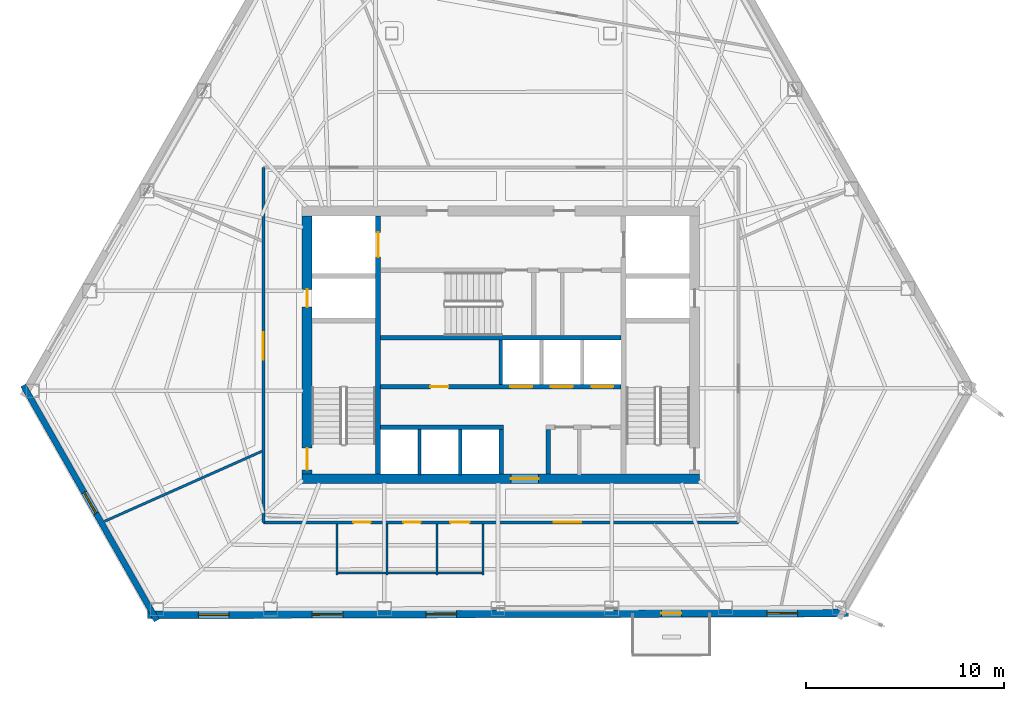
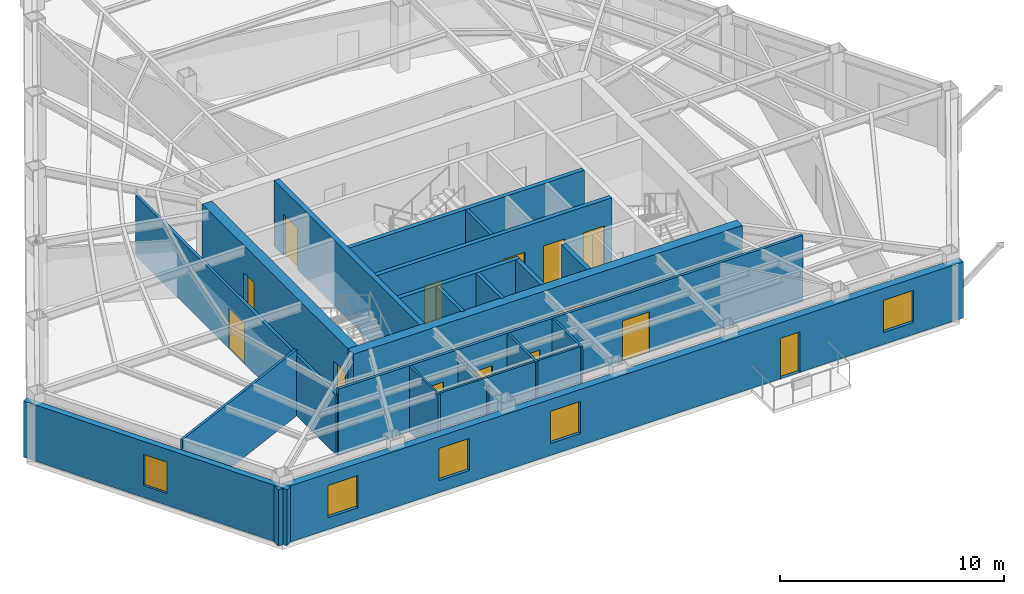
# One storey, part 6 of 11: 21 walls, 14 doors, 5 windows, 19 openings.
"""IFC4 building model written with IfcOpenShell, lengths in metres."""

from ifc_helpers import new_model, si_unit, direction, frame, frame_2d, origin, place, context, subcontext, project, spatial, rectangle, extrude, material, layer, layer_set, type_object, element, fill, save


model = new_model("IFC4")

# Units and contexts
model_context = context("Model", 3, precision=1e-05, world=origin(), true_north=direction((0.0, 1.0)))
body_context = subcontext(model_context, "Body", "Model", "MODEL_VIEW")
ifc_project = project(units=[si_unit("LENGTHUNIT", "METRE"), si_unit("AREAUNIT", "SQUARE_METRE"), si_unit("VOLUMEUNIT", "CUBIC_METRE"), si_unit("PLANEANGLEUNIT", "RADIAN"), si_unit("MASSUNIT", "GRAM", prefix="KILO")], contexts=[model_context])

# Site, building, storey
site_placement = place(None, origin())
site = spatial("IfcSite", under=ifc_project, at=site_placement, CompositionType="ELEMENT")
building_placement = place(site_placement, origin())
building = spatial("IfcBuilding", under=site, at=building_placement, Name="Kavelnor Concourse Tower", CompositionType="ELEMENT")
storey_placement = place(building_placement, frame((0.0, 0.0, 89.35009765625)))
storey = spatial("IfcBuildingStorey", under=building, at=storey_placement, Name="L22", CompositionType="ELEMENT", Elevation=89.35009765625)

# Wall, opening, door
ifc_material_1 = material(Name="Concrete C60/75", Category="concrete")
ifc_layer_1 = layer(ifc_material_1, 0.5, Name="Concrete C60/75")
ifc_layer_set_1 = layer_set([ifc_layer_1], Name="Concrete C60/75")
wall_type_1 = type_object("IfcWallType", Name="WL-CORE-Z2-500", PredefinedType="SOLIDWALL", material=ifc_layer_set_1)
wall_1_placement = place(storey_placement, frame((27.97998046875, 9.35009765625, 0.0), z_axis=(0.0, 0.0, 1.0), x_axis=(1.0, 0.0, 0.0)))
wall_1 = element("IfcWall", 1, at=wall_1_placement, inside=storey, type_object=wall_type_1, Name="L22 Central Core South Shear Wall", PredefinedType="SOLIDWALL", context=body_context, shape_type="SweptSolid", body=[
    extrude(rectangle(XDim=20.0400390625, YDim=0.5, at=frame_2d((10.02001953125, 0.0))), origin(), (0.0, 0.0, 1.0), 3.599853515625),
])
opening_1_placement = place(wall_1_placement, frame((10.52001953125, 0.0, 0.0)))
opening_1 = element("IfcOpeningElement", 2, at=opening_1_placement, cuts=wall_1, Name="Opening SD-140", PredefinedType="OPENING", context=body_context, shape_type="SweptSolid", body=[
    extrude(rectangle(XDim=1.39990234375, YDim=2.199951171875, at=frame_2d((0.699951171875, 1.10009765625))), frame((0.0, 0.260009765625, 0.0), z_axis=(0.0, -1.0, 0.0), x_axis=(1.0, 0.0, 0.0)), (0.0, 0.0, 1.0), 0.52001953125),
])
ifc_material_2 = material(Name="Solid-core hardwood timber", Category="wood")
door_type_1 = type_object("IfcDoorType", Name="DR-SUITE-ENTRY-1400", OperationType="NOTDEFINED", PredefinedType="DOOR", material=ifc_material_2)
door_1_placement = place(opening_1_placement, origin())
door_1 = element("IfcDoor", 3, at=door_1_placement, inside=storey, type_object=door_type_1, Name="L22 Passenger Lift Lobby Entry Door", OperationType="SINGLE_SWING_LEFT", OverallHeight=2.199951171875, OverallWidth=1.39990234375, PredefinedType="DOOR", context=body_context, shape_type="SweptSolid", body=[
    extrude(rectangle(XDim=1.39990234375, YDim=2.199951171875, at=frame_2d((0.699951171875, 1.10009765625))), frame((0.0, 0.02490234375, 0.0), z_axis=(0.0, -1.0, 0.0), x_axis=(1.0, 0.0, 0.0)), (0.0, 0.0, 1.0), 0.050048828125),
])
fill(opening_1, door_1)

# Wall, openings, doors
wall_2_placement = place(storey_placement, frame((28.22998046875, 9.60009765625, 0.0), z_axis=(0.0, 0.0, 1.0), x_axis=(0.0, 1.0, 0.0)))
wall_2 = element("IfcWall", 4, at=wall_2_placement, inside=storey, type_object=wall_type_1, Name="L22 Central Core West Shear Wall", PredefinedType="SOLIDWALL", context=body_context, shape_type="SweptSolid", body=[
    extrude(rectangle(XDim=13.0, YDim=0.5, at=frame_2d((6.5, 0.0))), origin(), (0.0, 0.0, 1.0), 3.599853515625),
])
opening_2_placement = place(wall_2_placement, frame((0.199951171875, 0.0, 0.0)))
opening_2 = element("IfcOpeningElement", 5, at=opening_2_placement, cuts=wall_2, Name="Opening FD-110", PredefinedType="OPENING", context=body_context, shape_type="SweptSolid", body=[
    extrude(rectangle(XDim=1.10009765625, YDim=2.14990234375, at=frame_2d((0.550048828125, 1.074951171875))), frame((0.0, 0.260009765625, 0.0), z_axis=(0.0, -1.0, 0.0), x_axis=(1.0, 0.0, 0.0)), (0.0, 0.0, 1.0), 0.52001953125),
])
opening_3_placement = place(wall_2_placement, frame((8.39990234375, 0.0, 0.0)))
opening_3 = element("IfcOpeningElement", 6, at=opening_3_placement, cuts=wall_2, Name="Opening FD-090", PredefinedType="OPENING", context=body_context, shape_type="SweptSolid", body=[
    extrude(rectangle(XDim=0.89990234375, YDim=2.10009765625, at=frame_2d((0.449951171875, 1.050048828125))), frame((0.0, 0.260009765625, 0.0), z_axis=(0.0, -1.0, 0.0), x_axis=(1.0, 0.0, 0.0)), (0.0, 0.0, 1.0), 0.52001953125),
])
ifc_material_3 = material(Name="Steel Grade 350", Category="steel")
door_type_2 = type_object("IfcDoorType", Name="DR-RISER-FIRE-900", OperationType="NOTDEFINED", PredefinedType="DOOR", material=ifc_material_3)
door_2_placement = place(opening_3_placement, origin())
door_2 = element("IfcDoor", 7, at=door_2_placement, inside=storey, type_object=door_type_2, Name="L22 West Riser Access Door", OperationType="SINGLE_SWING_RIGHT", OverallHeight=2.10009765625, OverallWidth=0.89990234375, PredefinedType="DOOR", context=body_context, shape_type="SweptSolid", body=[
    extrude(rectangle(XDim=0.89990234375, YDim=2.10009765625, at=frame_2d((0.449951171875, 1.050048828125))), frame((0.0, 0.02490234375, 0.0), z_axis=(0.0, -1.0, 0.0), x_axis=(1.0, 0.0, 0.0)), (0.0, 0.0, 1.0), 0.050048828125),
])
fill(opening_3, door_2)
door_type_3 = type_object("IfcDoorType", Name="DR-STAIR-FIRE-1100", OperationType="NOTDEFINED", PredefinedType="DOOR", material=ifc_material_3)
door_3_placement = place(opening_2_placement, origin())
door_3 = element("IfcDoor", 8, at=door_3_placement, inside=storey, type_object=door_type_3, Name="L22 Stair ST1 Fire Door", OperationType="SINGLE_SWING_LEFT", OverallHeight=2.14990234375, OverallWidth=1.10009765625, PredefinedType="DOOR", context=body_context, shape_type="SweptSolid", body=[
    extrude(rectangle(XDim=1.10009765625, YDim=2.14990234375, at=frame_2d((0.550048828125, 1.074951171875))), frame((0.0, 0.02490234375, 0.0), z_axis=(0.0, -1.0, 0.0), x_axis=(1.0, 0.0, 0.0)), (0.0, 0.0, 1.0), 0.050048828125),
])
fill(opening_2, door_3)

# Wall, opening, window
ifc_material_4 = material(Name="Buff ironspot clay face brick masonry", Category="masonry")
ifc_layer_2 = layer(ifc_material_4, 0.300048828125, Name="Buff ironspot clay face brick masonry")
ifc_layer_set_2 = layer_set([ifc_layer_2], Name="Buff ironspot clay face brick masonry")
wall_type_2 = type_object("IfcWallType", Name="WL-EXT-BUFF-BRICK-FOLD-300", PredefinedType="STANDARD", material=ifc_layer_set_2)
wall_3_placement = place(storey_placement, frame((20.658447265625, 2.210205078125, 0.0), z_axis=(0.0, 0.0, 1.0), x_axis=(-0.493913076268, 0.869511284051, 0.0)))
wall_3 = element("IfcWall", 9, at=wall_3_placement, inside=storey, type_object=wall_type_2, Name="L22 Exterior Brick Facade Wall E2", PredefinedType="STANDARD", context=body_context, shape_type="SweptSolid", body=[
    extrude(rectangle(XDim=13.62939453125, YDim=0.300048828125, at=frame_2d((6.814697265625, 0.0))), origin(), (0.0, 0.0, 1.0), 3.058837890625),
])
opening_4_placement = place(wall_3_placement, frame((6.214599609375, 0.0, 0.64990234375)))
opening_4 = element("IfcOpeningElement", 10, at=opening_4_placement, cuts=wall_3, Name="Opening W-05", PredefinedType="OPENING", context=body_context, shape_type="SweptSolid", body=[
    extrude(rectangle(XDim=1.199951171875, YDim=1.699951171875, at=frame_2d((0.60009765625, 0.85009765625))), frame((0.0, 0.16015625, 0.0), z_axis=(0.0, -1.0, 0.0), x_axis=(1.0, 0.0, 0.0)), (0.0, 0.0, 1.0), 0.320068359375),
])
ifc_material_5 = material(Name="Double low-E argon insulated glazing", Category="glass")
window_type_1 = type_object("IfcWindowType", Name="WIN-FOLD-1200", PartitioningType="SINGLE_PANEL", PredefinedType="WINDOW", material=ifc_material_5)
window_1_placement = place(opening_4_placement, origin())
window_1 = element("IfcWindow", 11, at=window_1_placement, inside=storey, type_object=window_type_1, Name="L22 Chamfer-Fold Facet Window C1", OverallHeight=1.699951171875, OverallWidth=1.199951171875, PartitioningType="SINGLE_PANEL", PredefinedType="WINDOW", context=body_context, shape_type="SweptSolid", body=[
    extrude(rectangle(XDim=1.199951171875, YDim=1.699951171875, at=frame_2d((0.60009765625, 0.85009765625))), frame((0.0, 0.030029296875, 0.0), z_axis=(0.0, -1.0, 0.0), x_axis=(1.0, 0.0, 0.0)), (0.0, 0.0, 1.0), 0.06005859375),
])
fill(opening_4, window_1)

# Wall, openings, door, windows
ifc_material_6 = material(Name="Red-ochre clay face brick masonry", Category="masonry")
ifc_layer_3 = layer(ifc_material_6, 0.3798828125, Name="Red-ochre clay face brick masonry")
ifc_layer_set_3 = layer_set([ifc_layer_3], Name="Red-ochre clay face brick masonry")
wall_type_3 = type_object("IfcWallType", Name="WL-EXT-RED-BRICK-PIER-380", PredefinedType="STANDARD", material=ifc_layer_set_3)
wall_4_placement = place(storey_placement, frame((55.533203125, 2.586181640625, 0.0), z_axis=(0.0, 0.0, 1.0), x_axis=(-0.999996299189, -0.002720589845, 0.0)))
wall_4 = element("IfcWall", 12, at=wall_4_placement, inside=storey, type_object=wall_type_3, Name="L22 Exterior Brick Facade Wall E3", PredefinedType="STANDARD", context=body_context, shape_type="SweptSolid", body=[
    extrude(rectangle(XDim=35.35693359375, YDim=0.3798828125, at=frame_2d((17.678466796875, 0.0))), origin(), (0.0, 0.0, 1.0), 3.058837890625),
])
opening_5_placement = place(wall_4_placement, frame((8.439208984375, 0.0, 0.0)))
opening_5 = element("IfcOpeningElement", 13, at=opening_5_placement, cuts=wall_4, Name="Opening BD-100", PredefinedType="OPENING", context=body_context, shape_type="SweptSolid", body=[
    extrude(rectangle(XDim=1.0, YDim=2.199951171875, at=frame_2d((0.5, 1.10009765625))), frame((0.0, 0.199951171875, 0.0), z_axis=(0.0, -1.0, 0.0), x_axis=(1.0, 0.0, 0.0)), (0.0, 0.0, 1.0), 0.39990234375),
])
opening_6_placement = place(wall_4_placement, frame((31.235107421875, 0.0, 0.64990234375)))
opening_6 = element("IfcOpeningElement", 14, at=opening_6_placement, cuts=wall_4, Name="Opening W-02", PredefinedType="OPENING", context=body_context, shape_type="SweptSolid", body=[
    extrude(rectangle(XDim=1.550048828125, YDim=1.75, at=frame_2d((0.77490234375, 0.875))), frame((0.0, 0.199951171875, 0.0), z_axis=(0.0, -1.0, 0.0), x_axis=(1.0, 0.0, 0.0)), (0.0, 0.0, 1.0), 0.39990234375),
])
opening_7_placement = place(wall_4_placement, frame((25.501953125, 0.0, 0.64990234375)))
opening_7 = element("IfcOpeningElement", 15, at=opening_7_placement, cuts=wall_4, Name="Opening W-02", PredefinedType="OPENING", context=body_context, shape_type="SweptSolid", body=[
    extrude(rectangle(XDim=1.550048828125, YDim=1.75, at=frame_2d((0.77490234375, 0.875))), frame((0.0, 0.199951171875, 0.0), z_axis=(0.0, -1.0, 0.0), x_axis=(1.0, 0.0, 0.0)), (0.0, 0.0, 1.0), 0.39990234375),
])
opening_8_placement = place(wall_4_placement, frame((19.768798828125, 0.0, 0.64990234375)))
opening_8 = element("IfcOpeningElement", 16, at=opening_8_placement, cuts=wall_4, Name="Opening W-02", PredefinedType="OPENING", context=body_context, shape_type="SweptSolid", body=[
    extrude(rectangle(XDim=1.550048828125, YDim=1.75, at=frame_2d((0.77490234375, 0.875))), frame((0.0, 0.199951171875, 0.0), z_axis=(0.0, -1.0, 0.0), x_axis=(1.0, 0.0, 0.0)), (0.0, 0.0, 1.0), 0.39990234375),
])
opening_9_placement = place(wall_4_placement, frame((2.569091796875, 0.0, 0.64990234375)))
opening_9 = element("IfcOpeningElement", 17, at=opening_9_placement, cuts=wall_4, Name="Opening W-02", PredefinedType="OPENING", context=body_context, shape_type="SweptSolid", body=[
    extrude(rectangle(XDim=1.550048828125, YDim=1.75, at=frame_2d((0.77490234375, 0.875))), frame((0.0, 0.199951171875, 0.0), z_axis=(0.0, -1.0, 0.0), x_axis=(1.0, 0.0, 0.0)), (0.0, 0.0, 1.0), 0.39990234375),
])
ifc_material_7 = material(Name="Anodised aluminium 6063-T6", Category="aluminium")
door_type_4 = type_object("IfcDoorType", Name="DR-BALCONY-EXT-1000", OperationType="NOTDEFINED", PredefinedType="DOOR", material=ifc_material_7)
door_4_placement = place(opening_5_placement, origin())
door_4 = element("IfcDoor", 18, at=door_4_placement, inside=storey, type_object=door_type_4, Name="L22 Tree Balcony 1 Glazed Door", OperationType="SINGLE_SWING_LEFT", OverallHeight=2.199951171875, OverallWidth=1.0, PredefinedType="DOOR", context=body_context, shape_type="SweptSolid", body=[
    extrude(rectangle(XDim=1.0, YDim=2.199951171875, at=frame_2d((0.5, 1.10009765625))), frame((0.0, 0.02490234375, 0.0), z_axis=(0.0, -1.0, 0.0), x_axis=(1.0, 0.0, 0.0)), (0.0, 0.0, 1.0), 0.050048828125),
])
fill(opening_5, door_4)
window_type_2 = type_object("IfcWindowType", Name="WIN-PIER-Z2-1650", PartitioningType="SINGLE_PANEL", PredefinedType="WINDOW", material=ifc_material_5)
window_2_placement = place(opening_6_placement, origin())
window_2 = element("IfcWindow", 19, at=window_2_placement, inside=storey, type_object=window_type_2, Name="L22 Deep-Set Brick Pier Window F1-B0", OverallHeight=1.75, OverallWidth=1.550048828125, PartitioningType="SINGLE_PANEL", PredefinedType="WINDOW", context=body_context, shape_type="SweptSolid", body=[
    extrude(rectangle(XDim=1.550048828125, YDim=1.75, at=frame_2d((0.77490234375, 0.875))), frame((0.0, 0.030029296875, 0.0), z_axis=(0.0, -1.0, 0.0), x_axis=(1.0, 0.0, 0.0)), (0.0, 0.0, 1.0), 0.06005859375),
])
fill(opening_6, window_2)
window_3_placement = place(opening_7_placement, origin())
window_3 = element("IfcWindow", 20, at=window_3_placement, inside=storey, type_object=window_type_2, Name="L22 Deep-Set Brick Pier Window F1-B1", OverallHeight=1.75, OverallWidth=1.550048828125, PartitioningType="SINGLE_PANEL", PredefinedType="WINDOW", context=body_context, shape_type="SweptSolid", body=[
    extrude(rectangle(XDim=1.550048828125, YDim=1.75, at=frame_2d((0.77490234375, 0.875))), frame((0.0, 0.030029296875, 0.0), z_axis=(0.0, -1.0, 0.0), x_axis=(1.0, 0.0, 0.0)), (0.0, 0.0, 1.0), 0.06005859375),
])
fill(opening_7, window_3)
window_4_placement = place(opening_8_placement, origin())
window_4 = element("IfcWindow", 21, at=window_4_placement, inside=storey, type_object=window_type_2, Name="L22 Deep-Set Brick Pier Window F1-B2", OverallHeight=1.75, OverallWidth=1.550048828125, PartitioningType="SINGLE_PANEL", PredefinedType="WINDOW", context=body_context, shape_type="SweptSolid", body=[
    extrude(rectangle(XDim=1.550048828125, YDim=1.75, at=frame_2d((0.77490234375, 0.875))), frame((0.0, 0.030029296875, 0.0), z_axis=(0.0, -1.0, 0.0), x_axis=(1.0, 0.0, 0.0)), (0.0, 0.0, 1.0), 0.06005859375),
])
fill(opening_8, window_4)
window_5_placement = place(opening_9_placement, origin())
window_5 = element("IfcWindow", 22, at=window_5_placement, inside=storey, type_object=window_type_2, Name="L22 Deep-Set Brick Pier Window F1-B5", OverallHeight=1.75, OverallWidth=1.550048828125, PartitioningType="SINGLE_PANEL", PredefinedType="WINDOW", context=body_context, shape_type="SweptSolid", body=[
    extrude(rectangle(XDim=1.550048828125, YDim=1.75, at=frame_2d((0.77490234375, 0.875))), frame((0.0, 0.030029296875, 0.0), z_axis=(0.0, -1.0, 0.0), x_axis=(1.0, 0.0, 0.0)), (0.0, 0.0, 1.0), 0.06005859375),
])
fill(opening_9, window_5)

# Wall, opening, door
ifc_material_8 = material(Name="Gypsum plasterboard on light-gauge steel studs", Category="steel")
ifc_layer_4 = layer(ifc_material_8, 0.14501953125, Name="Gypsum plasterboard on light-gauge steel studs")
ifc_layer_set_4 = layer_set([ifc_layer_4], Name="Gypsum plasterboard on light-gauge steel studs")
wall_type_4 = type_object("IfcWallType", Name="WL-INT-CORR-145", PredefinedType="PARTITIONING", material=ifc_layer_set_4)
wall_5_placement = place(storey_placement, frame((26.030029296875, 25.050048828125, 0.0), z_axis=(0.0, 0.0, 1.0), x_axis=(0.0, -1.0, 0.0)))
wall_5 = element("IfcWall", 23, at=wall_5_placement, inside=storey, type_object=wall_type_4, Name="L22 Corridor Wall WL-L22-CR-03", PredefinedType="PARTITIONING", context=body_context, shape_type="SweptSolid", body=[
    extrude(rectangle(XDim=17.900146484375, YDim=0.14501953125, at=frame_2d((8.9501953125, 0.0))), origin(), (0.0, 0.0, 1.0), 3.287841796875),
])
opening_10_placement = place(wall_5_placement, frame((8.31103515625, 0.0, 0.0)))
opening_10 = element("IfcOpeningElement", 24, at=opening_10_placement, cuts=wall_5, Name="Opening SD-140", PredefinedType="OPENING", context=body_context, shape_type="SweptSolid", body=[
    extrude(rectangle(XDim=1.39990234375, YDim=2.199951171875, at=frame_2d((0.699951171875, 1.10009765625))), frame((0.0, 0.08251953125, 0.0), z_axis=(0.0, -1.0, 0.0), x_axis=(1.0, 0.0, 0.0)), (0.0, 0.0, 1.0), 0.1650390625),
])
door_5_placement = place(opening_10_placement, origin())
door_5 = element("IfcDoor", 25, at=door_5_placement, inside=storey, type_object=door_type_1, Name="L22 Staff Breakout Pantry 04 Door", OperationType="SINGLE_SWING_LEFT", OverallHeight=2.199951171875, OverallWidth=1.39990234375, PredefinedType="DOOR", context=body_context, shape_type="SweptSolid", body=[
    extrude(rectangle(XDim=1.39990234375, YDim=2.199951171875, at=frame_2d((0.699951171875, 1.10009765625))), frame((0.0, 0.02490234375, 0.0), z_axis=(0.0, -1.0, 0.0), x_axis=(1.0, 0.0, 0.0)), (0.0, 0.0, 1.0), 0.050048828125),
])
fill(opening_10, door_5)

# Wall, openings, doors
wall_6_placement = place(storey_placement, frame((26.030029296875, 7.14990234375, 0.0), z_axis=(0.0, 0.0, 1.0), x_axis=(1.0, 0.0, 0.0)))
wall_6 = element("IfcWall", 26, at=wall_6_placement, inside=storey, type_object=wall_type_4, Name="L22 Corridor Wall WL-L22-CR-04", PredefinedType="PARTITIONING", context=body_context, shape_type="SweptSolid", body=[
    extrude(rectangle(XDim=23.93994140625, YDim=0.14501953125, at=frame_2d((11.969970703125, 0.0))), origin(), (0.0, 0.0, 1.0), 3.599853515625),
])
opening_11_placement = place(wall_6_placement, frame((4.530029296875, 0.0, 0.0)))
opening_11 = element("IfcOpeningElement", 27, at=opening_11_placement, cuts=wall_6, Name="Opening WD-088", PredefinedType="OPENING", context=body_context, shape_type="SweptSolid", body=[
    extrude(rectangle(XDim=0.8798828125, YDim=2.10009765625, at=frame_2d((0.43994140625, 1.050048828125))), frame((0.0, 0.08251953125, 0.0), z_axis=(0.0, -1.0, 0.0), x_axis=(1.0, 0.0, 0.0)), (0.0, 0.0, 1.0), 0.1650390625),
])
opening_12_placement = place(wall_6_placement, frame((7.050048828125, 0.0, 0.0)))
opening_12 = element("IfcOpeningElement", 28, at=opening_12_placement, cuts=wall_6, Name="Opening WD-088", PredefinedType="OPENING", context=body_context, shape_type="SweptSolid", body=[
    extrude(rectangle(XDim=0.8798828125, YDim=2.10009765625, at=frame_2d((0.43994140625, 1.050048828125))), frame((0.0, 0.08251953125, 0.0), z_axis=(0.0, -1.0, 0.0), x_axis=(1.0, 0.0, 0.0)), (0.0, 0.0, 1.0), 0.1650390625),
])
opening_13_placement = place(wall_6_placement, frame((9.429931640625, 0.0, 0.0)))
opening_13 = element("IfcOpeningElement", 29, at=opening_13_placement, cuts=wall_6, Name="Opening WD-096", PredefinedType="OPENING", context=body_context, shape_type="SweptSolid", body=[
    extrude(rectangle(XDim=0.9599609375, YDim=2.10009765625, at=frame_2d((0.47998046875, 1.050048828125))), frame((0.0, 0.08251953125, 0.0), z_axis=(0.0, -1.0, 0.0), x_axis=(1.0, 0.0, 0.0)), (0.0, 0.0, 1.0), 0.1650390625),
])
opening_14_placement = place(wall_6_placement, frame((14.631591796875, 0.0, 0.0)))
opening_14 = element("IfcOpeningElement", 30, at=opening_14_placement, cuts=wall_6, Name="Opening SD-140", PredefinedType="OPENING", context=body_context, shape_type="SweptSolid", body=[
    extrude(rectangle(XDim=1.39990234375, YDim=2.199951171875, at=frame_2d((0.699951171875, 1.10009765625))), frame((0.0, 0.08251953125, 0.0), z_axis=(0.0, -1.0, 0.0), x_axis=(1.0, 0.0, 0.0)), (0.0, 0.0, 1.0), 0.1650390625),
])
door_6_placement = place(opening_14_placement, origin())
door_6 = element("IfcDoor", 31, at=door_6_placement, inside=storey, type_object=door_type_1, Name="L22 Staff Breakout Pantry 05 Door", OperationType="SINGLE_SWING_RIGHT", OverallHeight=2.199951171875, OverallWidth=1.39990234375, PredefinedType="DOOR", context=body_context, shape_type="SweptSolid", body=[
    extrude(rectangle(XDim=1.39990234375, YDim=2.199951171875, at=frame_2d((0.699951171875, 1.10009765625))), frame((0.0, 0.02490234375, 0.0), z_axis=(0.0, -1.0, 0.0), x_axis=(1.0, 0.0, 0.0)), (0.0, 0.0, 1.0), 0.050048828125),
])
fill(opening_14, door_6)
door_type_5 = type_object("IfcDoorType", Name="DR-WC-ACC-960", OperationType="NOTDEFINED", PredefinedType="DOOR", material=ifc_material_2)
door_7_placement = place(opening_13_placement, origin())
door_7 = element("IfcDoor", 32, at=door_7_placement, inside=storey, type_object=door_type_5, Name="L22 Accessible WC Door", OperationType="SINGLE_SWING_LEFT", OverallHeight=2.10009765625, OverallWidth=0.9599609375, PredefinedType="DOOR", context=body_context, shape_type="SweptSolid", body=[
    extrude(rectangle(XDim=0.9599609375, YDim=2.10009765625, at=frame_2d((0.47998046875, 1.050048828125))), frame((0.0, 0.02490234375, 0.0), z_axis=(0.0, -1.0, 0.0), x_axis=(1.0, 0.0, 0.0)), (0.0, 0.0, 1.0), 0.050048828125),
])
fill(opening_13, door_7)
door_type_6 = type_object("IfcDoorType", Name="DR-WC-STD-880", OperationType="NOTDEFINED", PredefinedType="DOOR", material=ifc_material_2)
door_8_placement = place(opening_11_placement, origin())
door_8 = element("IfcDoor", 33, at=door_8_placement, inside=storey, type_object=door_type_6, Name="L22 Male WC Door", OperationType="SINGLE_SWING_LEFT", OverallHeight=2.10009765625, OverallWidth=0.8798828125, PredefinedType="DOOR", context=body_context, shape_type="SweptSolid", body=[
    extrude(rectangle(XDim=0.8798828125, YDim=2.10009765625, at=frame_2d((0.43994140625, 1.050048828125))), frame((0.0, 0.02490234375, 0.0), z_axis=(0.0, -1.0, 0.0), x_axis=(1.0, 0.0, 0.0)), (0.0, 0.0, 1.0), 0.050048828125),
])
fill(opening_11, door_8)
door_9_placement = place(opening_12_placement, origin())
door_9 = element("IfcDoor", 34, at=door_9_placement, inside=storey, type_object=door_type_6, Name="L22 Female WC Door", OperationType="SINGLE_SWING_RIGHT", OverallHeight=2.10009765625, OverallWidth=0.8798828125, PredefinedType="DOOR", context=body_context, shape_type="SweptSolid", body=[
    extrude(rectangle(XDim=0.8798828125, YDim=2.10009765625, at=frame_2d((0.43994140625, 1.050048828125))), frame((0.0, 0.02490234375, 0.0), z_axis=(0.0, -1.0, 0.0), x_axis=(1.0, 0.0, 0.0)), (0.0, 0.0, 1.0), 0.050048828125),
])
fill(opening_12, door_9)

# Walls
ifc_layer_5 = layer(ifc_material_8, 0.1650390625, Name="Gypsum plasterboard on light-gauge steel studs")
ifc_layer_set_5 = layer_set([ifc_layer_5], Name="Gypsum plasterboard on light-gauge steel studs")
wall_type_5 = type_object("IfcWallType", Name="WL-INT-FIRE-165", PredefinedType="PARTITIONING", material=ifc_layer_set_5)
for number, where, z_axis, x_axis, name in (
    (35, (33.89990234375, 9.550048828125, 0.0), (0.0, 0.0, 1.0), (0.0, 1.0, 0.0), "L22 Lift Shaft Divider LP7"),
    (36, (35.949951171875, 9.550048828125, 0.0), (0.0, 0.0, 1.0), (0.0, 1.0, 0.0), "L22 Lift Shaft Divider LP8"),
):
    element("IfcWall", number, at=place(storey_placement, frame(where, z_axis=z_axis, x_axis=x_axis)), inside=storey, type_object=wall_type_5, Name=name, PredefinedType="PARTITIONING", context=body_context, shape_type="SweptSolid", body=[
        extrude(rectangle(XDim=2.2900390625, YDim=0.1650390625, at=frame_2d((1.14501953125, 0.0))), origin(), (0.0, 0.0, 1.0), 3.599853515625),
    ])
wall_7_placement = place(storey_placement, frame((38.0, 14.10009765625, 0.0), z_axis=(0.0, 0.0, 1.0), x_axis=(0.0, 1.0, 0.0)))
element("IfcWall", 37, at=wall_7_placement, inside=storey, type_object=wall_type_5, Name="L22 Reclaimed Core Zone Partition", PredefinedType="PARTITIONING", context=body_context, shape_type="SweptSolid", body=[
    extrude(rectangle(XDim=2.239990234375, YDim=0.1650390625, at=frame_2d((1.1201171875, 0.0))), origin(), (0.0, 0.0, 1.0), 3.599853515625),
])
ifc_layer_6 = layer(ifc_material_8, 0.125, Name="Gypsum plasterboard on light-gauge steel studs")
ifc_layer_set_6 = layer_set([ifc_layer_6], Name="Gypsum plasterboard on light-gauge steel studs")
wall_type_6 = type_object("IfcWallType", Name="WL-INT-SUITE-125", PredefinedType="PARTITIONING", material=ifc_layer_set_6)
wall_8_placement = place(storey_placement, frame((25.949462890625, 10.734619140625, 0.0), z_axis=(0.0, 0.0, 1.0), x_axis=(-0.913551473061, -0.406723131955, 0.0)))
element("IfcWall", 38, at=wall_8_placement, inside=storey, type_object=wall_type_6, Name="L22 Radial Suite Partition 04", PredefinedType="PARTITIONING", context=body_context, shape_type="SweptSolid", body=[
    extrude(rectangle(XDim=8.677490234375, YDim=0.125, at=frame_2d((4.3388671875, 0.0))), origin(), (0.0, 0.0, 1.0), 3.599853515625),
])
ifc_layer_7 = layer(ifc_material_8, 0.110107421875, Name="Gypsum plasterboard on light-gauge steel studs")
ifc_layer_set_7 = layer_set([ifc_layer_7], Name="Gypsum plasterboard on light-gauge steel studs")
wall_type_7 = type_object("IfcWallType", Name="WL-INT-WC-110", PredefinedType="PLUMBINGWALL", material=ifc_layer_set_7)
wall_9_placement = place(storey_placement, frame((29.739990234375, 4.5, 0.0), z_axis=(0.0, 0.0, 1.0), x_axis=(0.0, 1.0, 0.0)))
element("IfcWall", 39, at=wall_9_placement, inside=storey, type_object=wall_type_7, Name="L22 Sanitary Partition WL-L22-WC-W", PredefinedType="PLUMBINGWALL", context=body_context, shape_type="SweptSolid", body=[
    extrude(rectangle(XDim=2.580078125, YDim=0.110107421875, at=frame_2d((1.2900390625, 0.0))), origin(), (0.0, 0.0, 1.0), 3.599853515625),
])
wall_10_placement = place(storey_placement, frame((32.260009765625, 4.5, 0.0), z_axis=(0.0, 0.0, 1.0), x_axis=(0.0, 1.0, 0.0)))
element("IfcWall", 40, at=wall_10_placement, inside=storey, type_object=wall_type_7, Name="L22 Sanitary Partition WL-L22-WC-D1", PredefinedType="PLUMBINGWALL", context=body_context, shape_type="SweptSolid", body=[
    extrude(rectangle(XDim=2.580078125, YDim=0.110107421875, at=frame_2d((1.2900390625, 0.0))), origin(), (0.0, 0.0, 1.0), 3.140869140625),
])
for number, where, z_axis, x_axis, name in (
    (41, (34.780029296875, 4.5, 0.0), (0.0, 0.0, 1.0), (0.0, 1.0, 0.0), "L22 Sanitary Partition WL-L22-WC-D2"),
    (42, (37.10009765625, 4.5, 0.0), (0.0, 0.0, 1.0), (0.0, 1.0, 0.0), "L22 Sanitary Partition WL-L22-WC-E"),
):
    element("IfcWall", number, at=place(storey_placement, frame(where, z_axis=z_axis, x_axis=x_axis)), inside=storey, type_object=wall_type_7, Name=name, PredefinedType="PLUMBINGWALL", context=body_context, shape_type="SweptSolid", body=[
        extrude(rectangle(XDim=2.580078125, YDim=0.110107421875, at=frame_2d((1.2900390625, 0.0))), origin(), (0.0, 0.0, 1.0), 3.599853515625),
    ])
wall_11_placement = place(storey_placement, frame((29.68994140625, 4.60009765625, 0.0), z_axis=(0.0, 0.0, 1.0), x_axis=(1.0, 0.0, 0.0)))
element("IfcWall", 43, at=wall_11_placement, inside=storey, type_object=wall_type_7, Name="L22 Sanitary Partition WL-L22-WC-S", PredefinedType="PLUMBINGWALL", context=body_context, shape_type="SweptSolid", body=[
    extrude(rectangle(XDim=7.4599609375, YDim=0.110107421875, at=frame_2d((3.72998046875, 0.0))), origin(), (0.0, 0.0, 1.0), 3.599853515625),
])
ifc_material_9 = material(Name="Concrete C50/60", Category="concrete")
ifc_layer_8 = layer(ifc_material_9, 0.219970703125, Name="Concrete C50/60")
ifc_layer_set_8 = layer_set([ifc_layer_8], Name="Concrete C50/60")
wall_type_8 = type_object("IfcWallType", Name="WL-SHAFT-220", PredefinedType="SOLIDWALL", material=ifc_layer_set_8)
wall_12_placement = place(storey_placement, frame((31.93994140625, 16.449951171875, 0.0), z_axis=(0.0, 0.0, 1.0), x_axis=(1.0, 0.0, 0.0)))
element("IfcWall", 44, at=wall_12_placement, inside=storey, type_object=wall_type_8, Name="L22 Stair ST3 South Core Wall", PredefinedType="SOLIDWALL", context=body_context, shape_type="SweptSolid", body=[
    extrude(rectangle(XDim=12.1201171875, YDim=0.219970703125, at=frame_2d((6.06005859375, 0.0))), origin(), (0.0, 0.0, 1.0), 3.599853515625),
])

# Wall, openings, doors
wall_13_placement = place(storey_placement, frame((31.93994140625, 13.989990234375, 0.0), z_axis=(0.0, 0.0, 1.0), x_axis=(1.0, 0.0, 0.0)))
wall_13 = element("IfcWall", 45, at=wall_13_placement, inside=storey, type_object=wall_type_8, Name="L22 North Lift Row Shaft Wall", PredefinedType="SOLIDWALL", context=body_context, shape_type="SweptSolid", body=[
    extrude(rectangle(XDim=12.1201171875, YDim=0.219970703125, at=frame_2d((6.06005859375, 0.0))), origin(), (0.0, 0.0, 1.0), 3.599853515625),
])
opening_15_placement = place(wall_13_placement, frame((2.510009765625, 0.0, 0.0)))
opening_15 = element("IfcOpeningElement", 46, at=opening_15_placement, cuts=wall_13, Name="Opening FD-090", PredefinedType="OPENING", context=body_context, shape_type="SweptSolid", body=[
    extrude(rectangle(XDim=0.89990234375, YDim=2.10009765625, at=frame_2d((0.449951171875, 1.050048828125))), frame((0.0, 0.1201171875, 0.0), z_axis=(0.0, -1.0, 0.0), x_axis=(1.0, 0.0, 0.0)), (0.0, 0.0, 1.0), 0.239990234375),
])
opening_16_placement = place(wall_13_placement, frame((6.534912109375, 0.0, 0.0)))
opening_16 = element("IfcOpeningElement", 47, at=opening_16_placement, cuts=wall_13, Name="Opening LD-110", PredefinedType="OPENING", context=body_context, shape_type="SweptSolid", body=[
    extrude(rectangle(XDim=1.10009765625, YDim=2.199951171875, at=frame_2d((0.550048828125, 1.10009765625))), frame((0.0, 0.1201171875, 0.0), z_axis=(0.0, -1.0, 0.0), x_axis=(1.0, 0.0, 0.0)), (0.0, 0.0, 1.0), 0.239990234375),
])
opening_17_placement = place(wall_13_placement, frame((8.5849609375, 0.0, 0.0)))
opening_17 = element("IfcOpeningElement", 48, at=opening_17_placement, cuts=wall_13, Name="Opening LD-110", PredefinedType="OPENING", context=body_context, shape_type="SweptSolid", body=[
    extrude(rectangle(XDim=1.10009765625, YDim=2.199951171875, at=frame_2d((0.550048828125, 1.10009765625))), frame((0.0, 0.1201171875, 0.0), z_axis=(0.0, -1.0, 0.0), x_axis=(1.0, 0.0, 0.0)), (0.0, 0.0, 1.0), 0.239990234375),
])
opening_18_placement = place(wall_13_placement, frame((10.635009765625, 0.0, 0.0)))
opening_18 = element("IfcOpeningElement", 49, at=opening_18_placement, cuts=wall_13, Name="Opening LD-110", PredefinedType="OPENING", context=body_context, shape_type="SweptSolid", body=[
    extrude(rectangle(XDim=1.10009765625, YDim=2.199951171875, at=frame_2d((0.550048828125, 1.10009765625))), frame((0.0, 0.1201171875, 0.0), z_axis=(0.0, -1.0, 0.0), x_axis=(1.0, 0.0, 0.0)), (0.0, 0.0, 1.0), 0.239990234375),
])
door_type_7 = type_object("IfcDoorType", Name="DR-LIFT-SLIDING-1100", OperationType="NOTDEFINED", PredefinedType="DOOR", material=ifc_material_3)
door_10_placement = place(opening_16_placement, origin())
door_10 = element("IfcDoor", 50, at=door_10_placement, inside=storey, type_object=door_type_7, Name="L22 Lift LP4 Landing Door", OperationType="DOUBLE_DOOR_SLIDING", OverallHeight=2.199951171875, OverallWidth=1.10009765625, PredefinedType="DOOR", context=body_context, shape_type="SweptSolid", body=[
    extrude(rectangle(XDim=1.10009765625, YDim=2.199951171875, at=frame_2d((0.550048828125, 1.10009765625))), frame((0.0, 0.02490234375, 0.0), z_axis=(0.0, -1.0, 0.0), x_axis=(1.0, 0.0, 0.0)), (0.0, 0.0, 1.0), 0.050048828125),
])
fill(opening_16, door_10)
door_11_placement = place(opening_17_placement, origin())
door_11 = element("IfcDoor", 51, at=door_11_placement, inside=storey, type_object=door_type_7, Name="L22 Lift LP5 Landing Door", OperationType="DOUBLE_DOOR_SLIDING", OverallHeight=2.199951171875, OverallWidth=1.10009765625, PredefinedType="DOOR", context=body_context, shape_type="SweptSolid", body=[
    extrude(rectangle(XDim=1.10009765625, YDim=2.199951171875, at=frame_2d((0.550048828125, 1.10009765625))), frame((0.0, 0.02490234375, 0.0), z_axis=(0.0, -1.0, 0.0), x_axis=(1.0, 0.0, 0.0)), (0.0, 0.0, 1.0), 0.050048828125),
])
fill(opening_17, door_11)
door_12_placement = place(opening_18_placement, origin())
door_12 = element("IfcDoor", 52, at=door_12_placement, inside=storey, type_object=door_type_7, Name="L22 Lift LP6 Landing Door", OperationType="DOUBLE_DOOR_SLIDING", OverallHeight=2.199951171875, OverallWidth=1.10009765625, PredefinedType="DOOR", context=body_context, shape_type="SweptSolid", body=[
    extrude(rectangle(XDim=1.10009765625, YDim=2.199951171875, at=frame_2d((0.550048828125, 1.10009765625))), frame((0.0, 0.02490234375, 0.0), z_axis=(0.0, -1.0, 0.0), x_axis=(1.0, 0.0, 0.0)), (0.0, 0.0, 1.0), 0.050048828125),
])
fill(opening_18, door_12)
door_13_placement = place(opening_15_placement, origin())
door_13 = element("IfcDoor", 53, at=door_13_placement, inside=storey, type_object=door_type_2, Name="L22 Core IT Room Door", OperationType="SINGLE_SWING_LEFT", OverallHeight=2.10009765625, OverallWidth=0.89990234375, PredefinedType="DOOR", context=body_context, shape_type="SweptSolid", body=[
    extrude(rectangle(XDim=0.89990234375, YDim=2.10009765625, at=frame_2d((0.449951171875, 1.050048828125))), frame((0.0, 0.02490234375, 0.0), z_axis=(0.0, -1.0, 0.0), x_axis=(1.0, 0.0, 0.0)), (0.0, 0.0, 1.0), 0.050048828125),
])
fill(opening_15, door_13)

# Walls
wall_14_placement = place(storey_placement, frame((31.93994140625, 11.949951171875, 0.0), z_axis=(0.0, 0.0, 1.0), x_axis=(1.0, 0.0, 0.0)))
element("IfcWall", 54, at=wall_14_placement, inside=storey, type_object=wall_type_8, Name="L22 High-Rise Lift Bank North Wall", PredefinedType="SOLIDWALL", context=body_context, shape_type="SweptSolid", body=[
    extrude(rectangle(XDim=6.18994140625, YDim=0.219970703125, at=frame_2d((3.094970703125, 0.0))), origin(), (0.0, 0.0, 1.0), 3.599853515625),
])
for number, where, z_axis, x_axis, name in (
    (55, (38.02001953125, 9.60009765625, 0.0), (0.0, 0.0, 1.0), (0.0, 1.0, 0.0), "L22 Lift Lobby Throat West Wall"),
    (56, (40.389892578125, 9.60009765625, 0.0), (0.0, 0.0, 1.0), (0.0, 1.0, 0.0), "L22 Lift Lobby Throat East Wall"),
):
    element("IfcWall", number, at=place(storey_placement, frame(where, z_axis=z_axis, x_axis=x_axis)), inside=storey, type_object=wall_type_8, Name=name, PredefinedType="SOLIDWALL", context=body_context, shape_type="SweptSolid", body=[
        extrude(rectangle(XDim=2.239990234375, YDim=0.219970703125, at=frame_2d((1.1201171875, 0.0))), origin(), (0.0, 0.0, 1.0), 3.599853515625),
    ])

# Wall, opening, door
ifc_layer_9 = layer(ifc_material_9, 0.260009765625, Name="Concrete C50/60")
ifc_layer_set_9 = layer_set([ifc_layer_9], Name="Concrete C50/60")
wall_type_9 = type_object("IfcWallType", Name="WL-SHAFT-260", PredefinedType="SHEAR", material=ifc_layer_set_9)
wall_15_placement = place(storey_placement, frame((31.81005859375, 9.60009765625, 0.0), z_axis=(0.0, 0.0, 1.0), x_axis=(0.0, 1.0, 0.0)))
wall_15 = element("IfcWall", 57, at=wall_15_placement, inside=storey, type_object=wall_type_9, Name="L22 Core West Wing Shear Wall", PredefinedType="SHEAR", context=body_context, shape_type="SweptSolid", body=[
    extrude(rectangle(XDim=13.0, YDim=0.260009765625, at=frame_2d((6.5, 0.0))), origin(), (0.0, 0.0, 1.0), 3.599853515625),
])
opening_19_placement = place(wall_15_placement, frame((10.925048828125, 0.0, 0.0)))
opening_19 = element("IfcOpeningElement", 58, at=opening_19_placement, cuts=wall_15, Name="Opening LD-125", PredefinedType="OPENING", context=body_context, shape_type="SweptSolid", body=[
    extrude(rectangle(XDim=1.25, YDim=2.25, at=frame_2d((0.625, 1.125))), frame((0.0, 0.14013671875, 0.0), z_axis=(0.0, -1.0, 0.0), x_axis=(1.0, 0.0, 0.0)), (0.0, 0.0, 1.0), 0.280029296875),
])
door_type_8 = type_object("IfcDoorType", Name="DR-LIFT-SLIDING-1250", OperationType="NOTDEFINED", PredefinedType="DOOR", material=ifc_material_3)
door_14_placement = place(opening_19_placement, origin())
door_14 = element("IfcDoor", 59, at=door_14_placement, inside=storey, type_object=door_type_8, Name="L22 Emergency Lift FL1 Landing Door", OperationType="DOUBLE_DOOR_SLIDING", OverallHeight=2.25, OverallWidth=1.25, PredefinedType="DOOR", context=body_context, shape_type="SweptSolid", body=[
    extrude(rectangle(XDim=1.25, YDim=2.25, at=frame_2d((0.625, 1.125))), frame((0.0, 0.02490234375, 0.0), z_axis=(0.0, -1.0, 0.0), x_axis=(1.0, 0.0, 0.0)), (0.0, 0.0, 1.0), 0.050048828125),
])
fill(opening_19, door_14)

save(model, "model.ifc")
